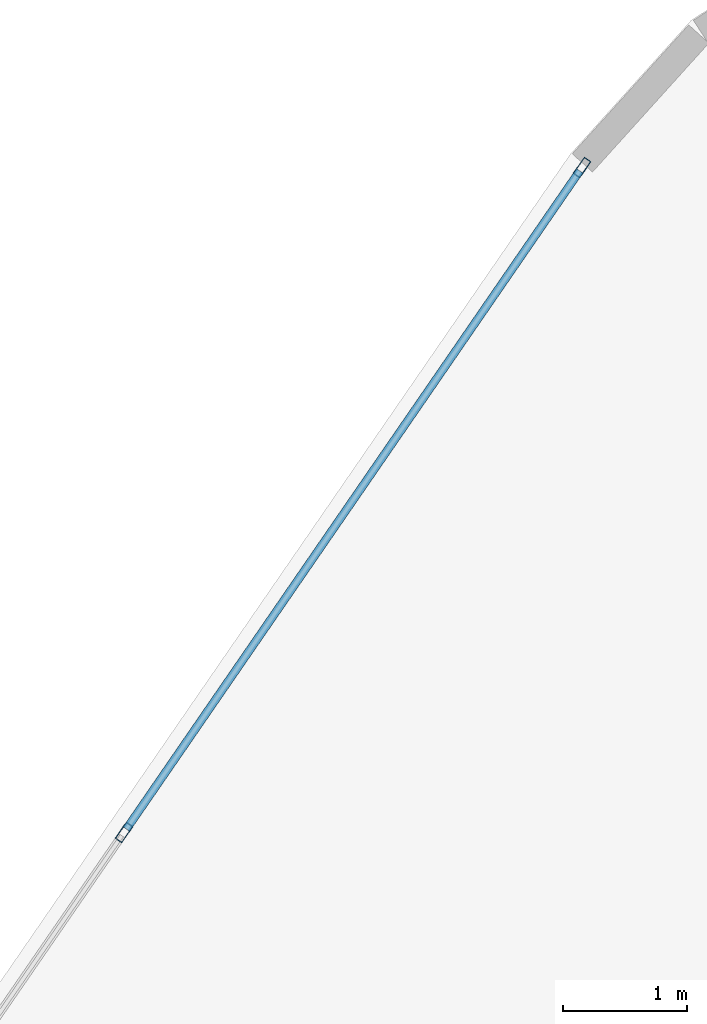
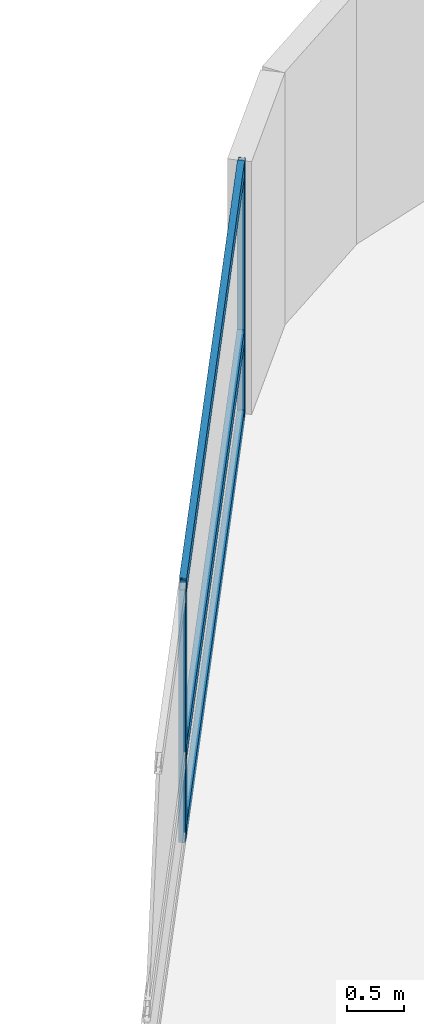
# One storey, part 16 of 26: 5 members, 1 element without a shape of its own.
"""IFC4 building model written with IfcOpenShell, lengths in metres."""

from ifc_helpers import new_model, si_unit, direction, frame, origin, origin_2d, place, context, subcontext, project, spatial, hollow_rectangle, extrude, material, layer, layer_set, material_profile, profile_set, type_object, element, aggregate, save


model = new_model("IFC4")

# Units and contexts
model_context = context("Model", 3, precision=1e-05, world=origin(), true_north=direction((0.0, 1.0)))
body_context = subcontext(model_context, "Body", "Model", "MODEL_VIEW")
ifc_project = project(units=[si_unit("LENGTHUNIT", "METRE"), si_unit("AREAUNIT", "SQUARE_METRE"), si_unit("VOLUMEUNIT", "CUBIC_METRE"), si_unit("PLANEANGLEUNIT", "RADIAN"), si_unit("MASSUNIT", "GRAM", prefix="KILO")], contexts=[model_context])

# Site, building, storey
site_placement = place(None, origin())
site = spatial("IfcSite", under=ifc_project, at=site_placement, CompositionType="ELEMENT")
building_placement = place(site_placement, origin())
building = spatial("IfcBuilding", under=site, at=building_placement, Name="Varnelok Gate Tower", CompositionType="ELEMENT")
storey_placement = place(building_placement, frame((0.0, 0.0, 27.0)))
storey = spatial("IfcBuildingStorey", under=building, at=storey_placement, Name="L05", CompositionType="ELEMENT", Elevation=27.0)

# Curtain wall, members
ifc_material = material(Name="Anodized Aluminum Alloy 6063-T6", Category="aluminium")
ifc_layer = layer(ifc_material, 0.179931640625)
ifc_layer_set = layer_set([ifc_layer], Name="Anodized Aluminum Alloy 6063-T6")
curtain_wall_type = type_object("IfcCurtainWallType", Name="CW3-HOTEL-VISION", PredefinedType="USERDEFINED", material=ifc_layer_set)
curtain_wall_placement = place(storey_placement, origin())
curtain_wall = element("IfcCurtainWall", 1, at=curtain_wall_placement, inside=storey, type_object=curtain_wall_type, Name="L05 West End Vision Curtain Wall", ObjectType="UNITISED CURTAIN WALL", PredefinedType="USERDEFINED")
ifc_material_profile_1 = material_profile(ifc_material, hollow_rectangle(XDim=0.06494140625, YDim=0.159912109375, WallThickness=0.00390625, at=origin_2d()), Name="ALU160X65X4")
ifc_profile_set_1 = profile_set([ifc_material_profile_1], Name="Anodized Aluminum Alloy 6063-T6")
member_type_1 = type_object("IfcMemberType", Name="CW-MULL-160", PredefinedType="MULLION", material=ifc_profile_set_1)
member_1_placement = place(storey_placement, frame((14.48291015625, 58.273193359375, 0.0), z_axis=(0.0, 0.0, 1.0), x_axis=(-0.823532685111, 0.567268822124, 0.0)))
member_1 = element("IfcMember", 2, at=member_1_placement, type_object=member_type_1, Name="CW3 mullion 6", PredefinedType="MULLION", context=body_context, shape_type="SweptSolid", body=[
    extrude(hollow_rectangle(XDim=0.06494140625, YDim=0.159912109375, WallThickness=0.00390625, at=origin_2d()), origin(), (0.0, 0.0, 1.0), 2.72998046875),
])
member_2_placement = place(storey_placement, frame((18.189453125, 63.654296875, 0.0), z_axis=(0.0, 0.0, 1.0), x_axis=(-0.823532685111, 0.567268822124, 0.0)))
member_2 = element("IfcMember", 3, at=member_2_placement, type_object=member_type_1, Name="CW3 mullion 7", PredefinedType="MULLION", context=body_context, shape_type="SweptSolid", body=[
    extrude(hollow_rectangle(XDim=0.06494140625, YDim=0.159912109375, WallThickness=0.00390625, at=origin_2d()), origin(), (0.0, 0.0, 1.0), 2.72998046875),
])
ifc_material_profile_2 = material_profile(ifc_material, hollow_rectangle(XDim=0.06494140625, YDim=0.159912109375, WallThickness=0.00390625, at=origin_2d()), Name="ALU160X65X4")
ifc_profile_set_2 = profile_set([ifc_material_profile_2], Name="Anodized Aluminum Alloy 6063-T6")
member_type_2 = type_object("IfcMemberType", Name="CW-TRAN-160", PredefinedType="USERDEFINED", material=ifc_profile_set_2)
member_3_placement = place(storey_placement, frame((14.50146484375, 58.300048828125, 0.032470703125), z_axis=(0.567255754851, 0.823541686006, 0.0), x_axis=(-0.823541686006, 0.567255754851, 0.0)))
member_3 = element("IfcMember", 4, at=member_3_placement, type_object=member_type_2, Name="CW3 transom 6.1", ObjectType="TRANSOM", PredefinedType="USERDEFINED", context=body_context, shape_type="SweptSolid", body=[
    extrude(hollow_rectangle(XDim=0.06494140625, YDim=0.159912109375, WallThickness=0.00390625, at=origin_2d()), origin(), (0.0, 0.0, 1.0), 6.46923828125),
])
member_4_placement = place(storey_placement, frame((14.50146484375, 58.300048828125, 0.89990234375), z_axis=(0.567255754851, 0.823541686006, 0.0), x_axis=(-0.823541686006, 0.567255754851, 0.0)))
member_4 = element("IfcMember", 5, at=member_4_placement, type_object=member_type_2, Name="CW3 transom 6.2", ObjectType="TRANSOM", PredefinedType="USERDEFINED", context=body_context, shape_type="SweptSolid", body=[
    extrude(hollow_rectangle(XDim=0.06494140625, YDim=0.159912109375, WallThickness=0.00390625, at=origin_2d()), origin(), (0.0, 0.0, 1.0), 6.46923828125),
])
member_5_placement = place(storey_placement, frame((14.50146484375, 58.300048828125, 2.697509765625), z_axis=(0.567255754851, 0.823541686006, 0.0), x_axis=(-0.823541686006, 0.567255754851, 0.0)))
member_5 = element("IfcMember", 6, at=member_5_placement, type_object=member_type_2, Name="CW3 transom 6.3", ObjectType="TRANSOM", PredefinedType="USERDEFINED", context=body_context, shape_type="SweptSolid", body=[
    extrude(hollow_rectangle(XDim=0.06494140625, YDim=0.159912109375, WallThickness=0.00390625, at=origin_2d()), origin(), (0.0, 0.0, 1.0), 6.46923828125),
])
aggregate(curtain_wall, [member_1, member_2, member_3, member_4, member_5])

save(model, "model.ifc")
